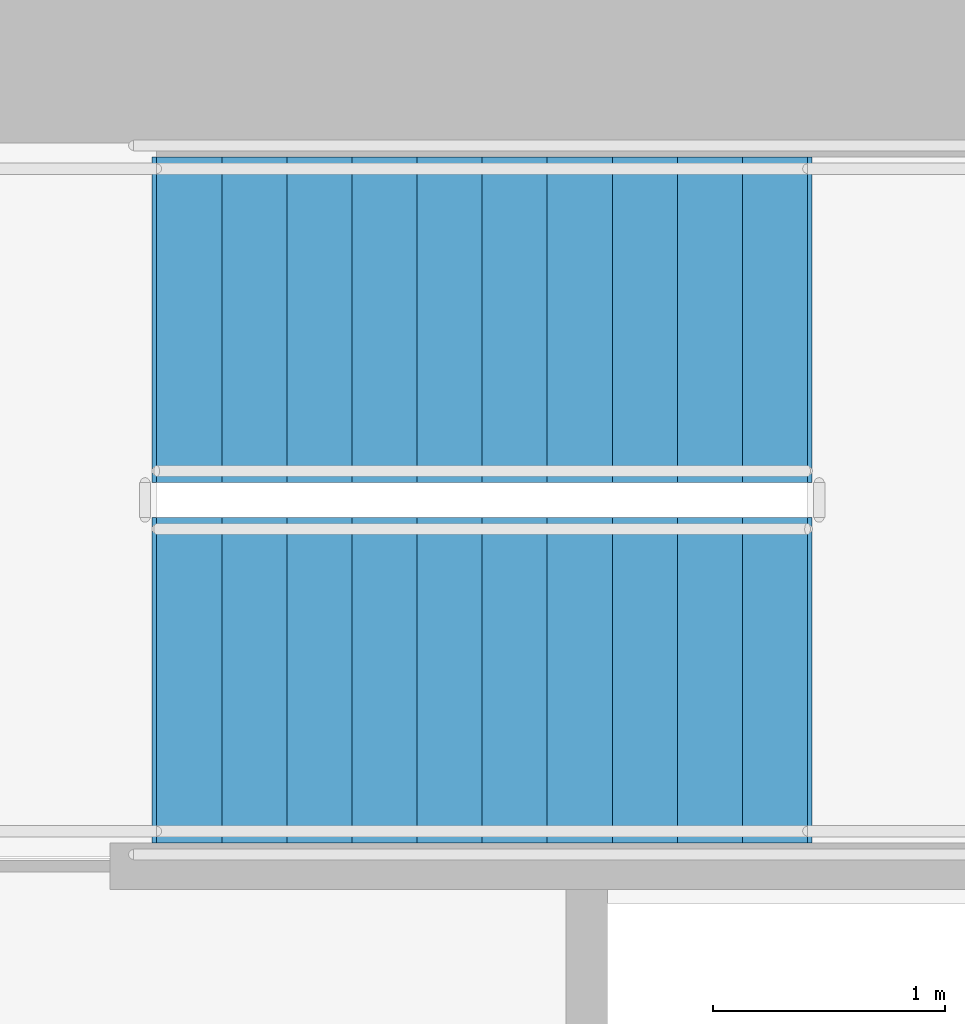
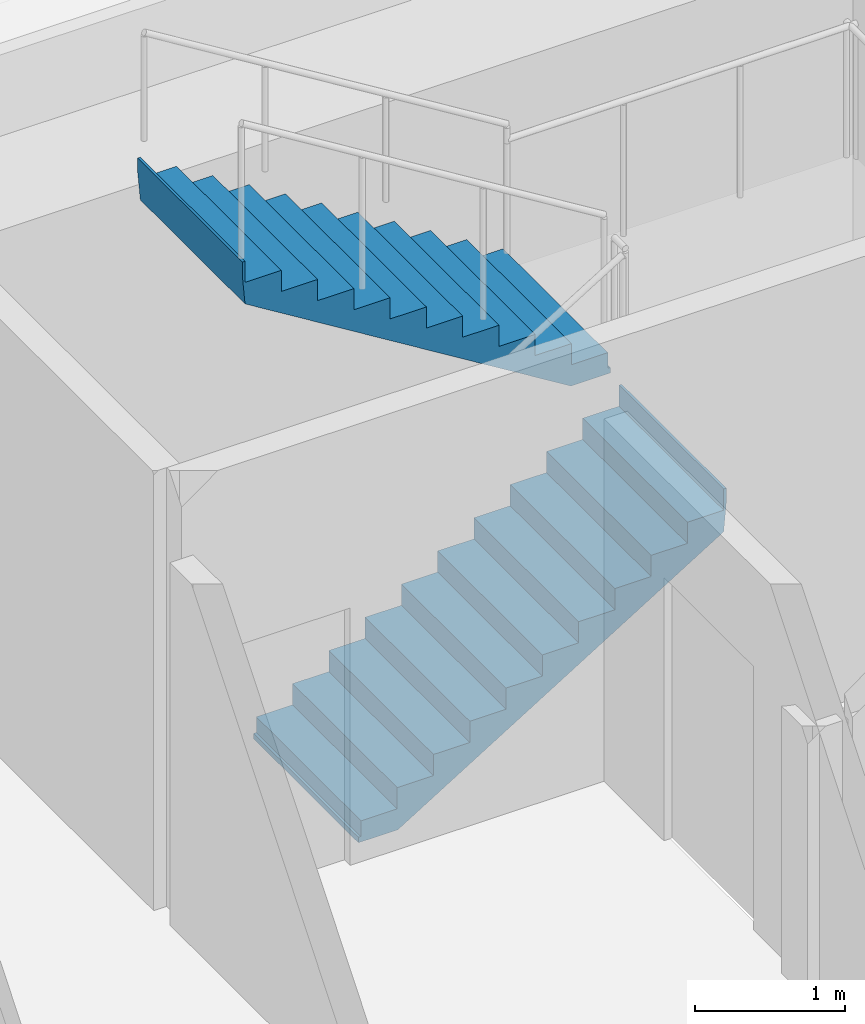
# One storey, part 11 of 17: 2 stair flights, 1 element without a shape of its own.
"""IFC4 building model written with IfcOpenShell, lengths in metres."""

from ifc_helpers import new_model, si_unit, direction, frame, origin, place, context, subcontext, project, spatial, polyline, outline, extrude, material, type_object, element, aggregate, save


model = new_model("IFC4")

# Units and contexts
model_context = context("Model", 3, precision=1e-05, world=origin(), true_north=direction((0.0, 1.0)))
body_context = subcontext(model_context, "Body", "Model", "MODEL_VIEW")
ifc_project = project(units=[si_unit("LENGTHUNIT", "METRE"), si_unit("AREAUNIT", "SQUARE_METRE"), si_unit("VOLUMEUNIT", "CUBIC_METRE"), si_unit("PLANEANGLEUNIT", "RADIAN"), si_unit("MASSUNIT", "GRAM", prefix="KILO")], contexts=[model_context])

# Site, building, storey
site_placement = place(None, origin())
site = spatial("IfcSite", under=ifc_project, at=site_placement, CompositionType="ELEMENT")
building_placement = place(site_placement, origin())
building = spatial("IfcBuilding", under=site, at=building_placement, Name="Valkerne Bourse Tower", CompositionType="ELEMENT")
storey_placement = place(building_placement, frame((0.0, 0.0, 82.0)))
storey = spatial("IfcBuildingStorey", under=building, at=storey_placement, Name="L20", CompositionType="ELEMENT", Elevation=82.0)

# Stair, stair flights
ifc_material = material(Name="Concrete C40/50", Category="concrete")
stair_type = type_object("IfcStairType", Name="ST-CORE-1400", PredefinedType="HALF_TURN_STAIR", material=ifc_material)
stair_placement = place(storey_placement, origin())
stair = element("IfcStair", 1, at=stair_placement, inside=storey, type_object=stair_type, Name="L20 ST-2", PredefinedType="HALF_TURN_STAIR")
stair_flight_type = type_object("IfcStairFlightType", Name="STF-CORE-1400", PredefinedType="STRAIGHT", material=ifc_material)
stair_flight_1_placement = place(storey_placement, frame((48.14990234375, 32.89990234375, 0.0), z_axis=(0.0, 0.0, 1.0), x_axis=(1.0, 0.0, 0.0)))
stair_flight_1 = element("IfcStairFlight", 2, at=stair_flight_1_placement, type_object=stair_flight_type, Name="ST-2 flight 1", NumberOfRisers=11, NumberOfTreads=10, PredefinedType="STRAIGHT", RiserHeight=0.172727273, TreadLength=0.28, context=body_context, shape_type="SweptSolid", body=[
    extrude(outline(polyline([(-0.02001953125, 0.0), (-0.02001953125, 0.044921875), (0.0, 0.044921875), (0.0, 0.172607421875), (0.280029296875, 0.172607421875), (0.280029296875, 0.345458984375), (0.56005859375, 0.345458984375), (0.56005859375, 0.51806640625), (0.840087890625, 0.51806640625), (0.840087890625, 0.69091796875), (1.1201171875, 0.69091796875), (1.1201171875, 0.863525390625), (1.39990234375, 0.863525390625), (1.39990234375, 1.036376953125), (1.679931640625, 1.036376953125), (1.679931640625, 1.208984375), (1.9599609375, 1.208984375), (1.9599609375, 1.3818359375), (2.239990234375, 1.3818359375), (2.239990234375, 1.554443359375), (2.52001953125, 1.554443359375), (2.52001953125, 1.727294921875), (2.800048828125, 1.727294921875), (2.800048828125, 1.89990234375), (2.820068359375, 1.89990234375), (2.820068359375, 1.780029296875), (2.800048828125, 1.551025390625), (0.285400390625, 0.0), (-0.02001953125, 0.0)])), frame((0.0, 0.699951171875, 0.0), z_axis=(0.0, -1.0, 0.0), x_axis=(1.0, 0.0, 0.0)), (0.0, 0.0, 1.0), 1.39990234375),
])
stair_flight_2_placement = place(storey_placement, frame((50.949951171875, 34.449951171875, 1.89990234375), z_axis=(0.0, 0.0, 1.0), x_axis=(-1.0, 0.0, 0.0)))
stair_flight_2 = element("IfcStairFlight", 3, at=stair_flight_2_placement, type_object=stair_flight_type, Name="ST-2 flight 2", NumberOfRisers=11, NumberOfTreads=10, PredefinedType="STRAIGHT", RiserHeight=0.172727273, TreadLength=0.28, context=body_context, shape_type="SweptSolid", body=[
    extrude(outline(polyline([(-0.02001953125, 0.0), (-0.02001953125, 0.044921875), (0.0, 0.044921875), (0.0, 0.172607421875), (0.280029296875, 0.172607421875), (0.280029296875, 0.345458984375), (0.56005859375, 0.345458984375), (0.56005859375, 0.51806640625), (0.840087890625, 0.51806640625), (0.840087890625, 0.69091796875), (1.1201171875, 0.69091796875), (1.1201171875, 0.863525390625), (1.39990234375, 0.863525390625), (1.39990234375, 1.036376953125), (1.679931640625, 1.036376953125), (1.679931640625, 1.208984375), (1.9599609375, 1.208984375), (1.9599609375, 1.3818359375), (2.239990234375, 1.3818359375), (2.239990234375, 1.554443359375), (2.52001953125, 1.554443359375), (2.52001953125, 1.727294921875), (2.800048828125, 1.727294921875), (2.800048828125, 1.89990234375), (2.820068359375, 1.89990234375), (2.820068359375, 1.780029296875), (2.800048828125, 1.551025390625), (0.285400390625, 0.0), (-0.02001953125, 0.0)])), frame((0.0, 0.699951171875, 0.0), z_axis=(0.0, -1.0, 0.0), x_axis=(1.0, 0.0, 0.0)), (0.0, 0.0, 1.0), 1.39990234375),
])
aggregate(stair, [stair_flight_1, stair_flight_2])

save(model, "model.ifc")
